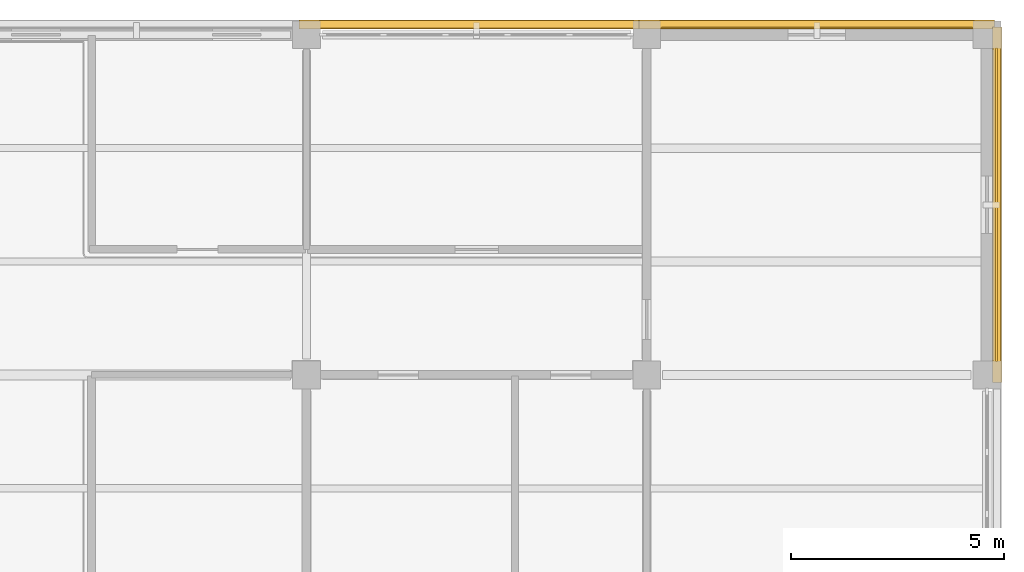
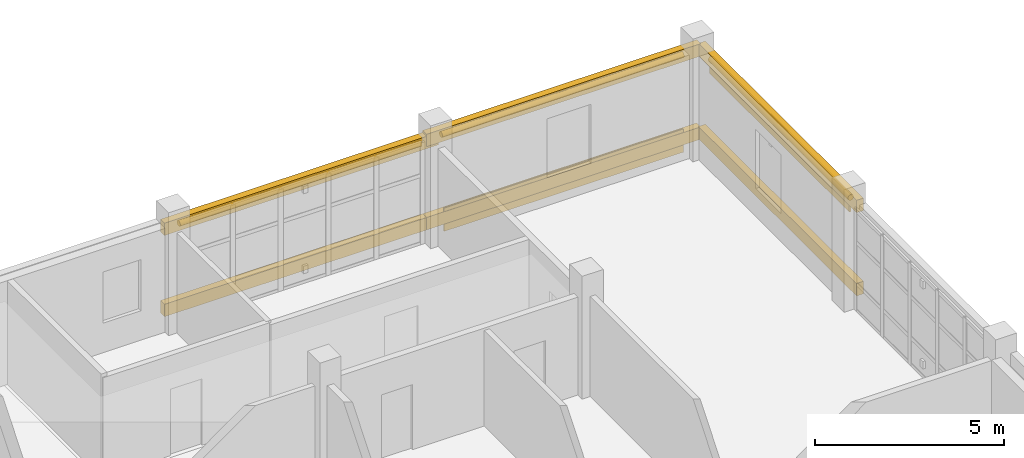
# One storey, part 125 of 126: 7 coverings, 4 shading devices.
"""IFC4 building model written with IfcOpenShell, lengths in metres."""

from ifc_helpers import new_model, si_unit, derived_unit, direction, frame, origin, origin_2d, place, context, subcontext, project, spatial, rectangle, circle, extrude, material, layer, layer_set, material_profile, profile_set, type_object, element, save


model = new_model("IFC4")

# Units and contexts
model_context = context("Model", 3, precision=1e-05, world=origin(), true_north=direction((0.0, 1.0)))
body_context = subcontext(model_context, "Body", "Model", "MODEL_VIEW")
ifc_project = project(units=[si_unit("LENGTHUNIT", "METRE"), si_unit("AREAUNIT", "SQUARE_METRE"), si_unit("VOLUMEUNIT", "CUBIC_METRE"), si_unit("PLANEANGLEUNIT", "RADIAN"), si_unit("MASSUNIT", "GRAM", prefix="KILO"), derived_unit("THERMALTRANSMITTANCEUNIT", [(si_unit("MASSUNIT", "GRAM", prefix="KILO"), 1), (si_unit("TIMEUNIT", "SECOND"), -3), (si_unit("THERMODYNAMICTEMPERATUREUNIT", "KELVIN"), -1)])], contexts=[model_context])

# Site, building, storey
site_placement = place(None, origin())
site = spatial("IfcSite", under=ifc_project, at=site_placement, CompositionType="ELEMENT")
building_placement = place(site_placement, origin())
building = spatial("IfcBuilding", under=site, at=building_placement, Name="Veyamyaing Civic Hall", CompositionType="ELEMENT")
storey_placement = place(building_placement, frame((0.0, 0.0, 9.89990234375)))
storey = spatial("IfcBuildingStorey", under=building, at=storey_placement, Name="L02", CompositionType="ELEMENT", Elevation=9.89990234375)

# Coverings
ifc_material_1 = material(Name="Turquoise glazed ceramic tile cladding", Category="masonry")
ifc_layer_1 = layer(ifc_material_1, 0.034912109375, Name="Turquoise glazed ceramic tile cladding")
ifc_layer_set_1 = layer_set([ifc_layer_1], Name="Turquoise glazed ceramic tile cladding")
covering_type_1 = type_object("IfcCoveringType", Name="CL-02", PredefinedType="CLADDING", material=ifc_layer_set_1)
covering_placement = place(storey_placement, frame((172.0, 112.153564453125, 0.045166015625), z_axis=(0.0, 0.0, 1.0), x_axis=(1.0, 0.0, 0.0)))
element("IfcCovering", 1, at=covering_placement, inside=storey, type_object=covering_type_1, Name="Facade spandrel cladding CL-02 L02 N 22.14", PredefinedType="CLADDING", context=body_context, shape_type="SweptSolid", body=[
    extrude(rectangle(XDim=7.300048828125, YDim=0.034912109375, at=origin_2d()), origin(), (0.0, 0.0, 1.0), 0.75),
])
ifc_material_2 = material(Name="White powder-coated aluminium 6063-T6", Category="aluminium")
ifc_layer_2 = layer(ifc_material_2, 0.2099609375, Name="White powder-coated aluminium 6063-T6")
ifc_layer_set_2 = layer_set([ifc_layer_2], Name="White powder-coated aluminium 6063-T6")
covering_type_2 = type_object("IfcCoveringType", Name="CL-03", PredefinedType="CLADDING", material=ifc_layer_set_2)
for number, where, z_axis, x_axis, name in (
    (2, (164.0, 112.239990234375, 2.900146484375), (0.0, 0.0, 1.0), (1.0, 0.0, 0.0), "Continuous white head fascia ribbon CL-03 L02 N 21.14"),
    (3, (164.0, 112.239990234375, 0.280029296875), (0.0, 0.0, 1.0), (1.0, 0.0, 0.0), "Continuous white sill fascia ribbon CL-03 L02 N 21.14"),
    (4, (172.0, 112.239990234375, 2.964111328125), (0.0, 0.0, 1.0), (1.0, 0.0, 0.0), "Continuous white head fascia ribbon CL-03 L02 N 22.14"),
    (5, (172.0, 112.239990234375, 0.280029296875), (0.0, 0.0, 1.0), (1.0, 0.0, 0.0), "Continuous white sill fascia ribbon CL-03 L02 N 22.14"),
    (6, (176.239990234375, 108.0, 2.964111328125), (0.0, 0.0, 1.0), (0.0, 1.0, 0.0), "Continuous white head fascia ribbon CL-03 L02 E 22.14"),
    (7, (176.239990234375, 108.0, 0.280029296875), (0.0, 0.0, 1.0), (0.0, 1.0, 0.0), "Continuous white sill fascia ribbon CL-03 L02 E 22.14"),
):
    element("IfcCovering", number, at=place(storey_placement, frame(where, z_axis=z_axis, x_axis=x_axis)), inside=storey, type_object=covering_type_2, Name=name, PredefinedType="CLADDING", context=body_context, shape_type="SweptSolid", body=[
        extrude(rectangle(XDim=8.360107421875, YDim=0.2099609375, at=origin_2d()), origin(), (0.0, 0.0, 1.0), 0.39990234375),
    ])

# Shading devices
ifc_material_3 = material(Name="Anodised aluminium 6063-T6", Category="aluminium")
ifc_material_profile_1 = material_profile(ifc_material_3, rectangle(XDim=0.050048828125, YDim=0.25, at=origin_2d()), Name="LOUVRE-BLADE-50X250")
ifc_profile_set_1 = profile_set([ifc_material_profile_1], Name="Anodised aluminium 6063-T6")
shading_device_type_1 = type_object("IfcShadingDeviceType", Name="LV-01", PredefinedType="JALOUSIE", material=ifc_profile_set_1)
shading_device_placement = place(storey_placement, frame((176.219970703125, 104.31005859375, 2.794189453125), z_axis=(0.0, 1.0, 0.0), x_axis=(-1.0, 0.0, 0.0)))
element("IfcShadingDevice", 8, at=shading_device_placement, inside=storey, type_object=shading_device_type_1, Name="Monsoon solar louvre LV-01 L02 E 22.14", PredefinedType="JALOUSIE", context=body_context, shape_type="SweptSolid", body=[
    extrude(rectangle(XDim=0.050048828125, YDim=0.25, at=origin_2d()), origin(), (0.0, 0.0, 1.0), 7.3798828125),
])
ifc_material_profile_2 = material_profile(ifc_material_2, circle(Radius=0.090087890625, at=origin_2d()), Name="SHADE-TUBE-180")
ifc_profile_set_2 = profile_set([ifc_material_profile_2], Name="White powder-coated aluminium 6063-T6")
shading_device_type_2 = type_object("IfcShadingDeviceType", Name="SH-02", PredefinedType="USERDEFINED", material=ifc_profile_set_2)
for number, where, z_axis, x_axis, name in (
    (9, (160.31005859375, 112.239990234375, 3.06005859375), (1.0, 0.0, 0.0), (0.0, 1.0, 0.0), "Horizontal white sunshade ribbon SH-02 L02 N 21.14"),
    (10, (168.31005859375, 112.239990234375, 3.1240234375), (1.0, 0.0, 0.0), (0.0, 1.0, 0.0), "Horizontal white sunshade ribbon SH-02 L02 N 22.14"),
    (11, (176.239990234375, 104.31005859375, 3.1240234375), (0.0, 1.0, 0.0), (-1.0, 0.0, 0.0), "Horizontal white sunshade ribbon SH-02 L02 E 22.14"),
):
    element("IfcShadingDevice", number, at=place(storey_placement, frame(where, z_axis=z_axis, x_axis=x_axis)), inside=storey, type_object=shading_device_type_2, Name=name, ObjectType="SUNSHADE", PredefinedType="USERDEFINED", context=body_context, shape_type="SweptSolid", body=[
        extrude(circle(Radius=0.090087890625, at=origin_2d()), origin(), (0.0, 0.0, 1.0), 7.3798828125),
    ])

save(model, "model.ifc")
